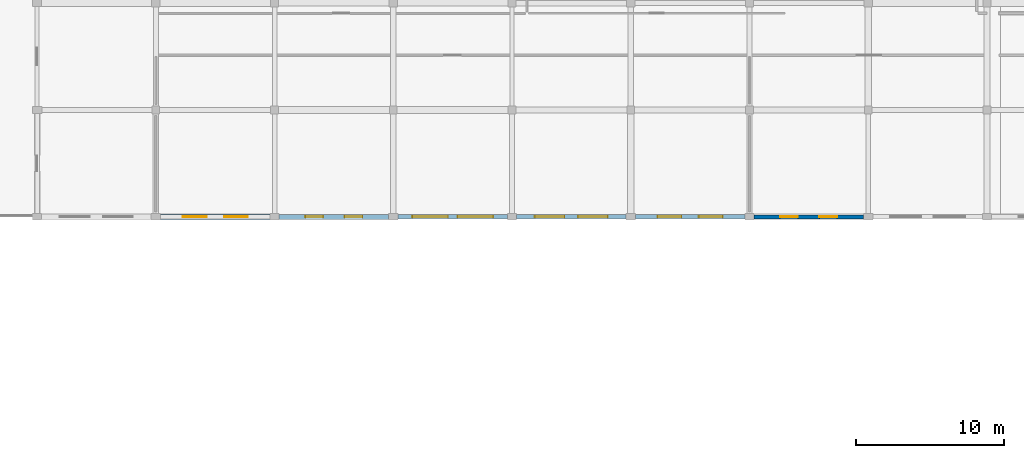
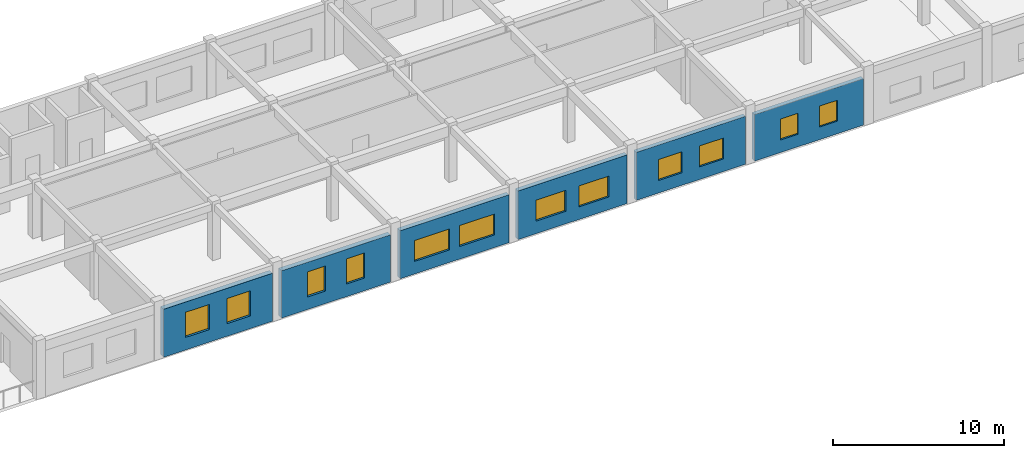
# One storey, part 9 of 19: 12 windows, 6 walls, 12 openings.
"""IFC4 building model written with IfcOpenShell, lengths in metres."""

from ifc_helpers import new_model, si_unit, direction, frame, frame_2d, origin, place, context, subcontext, project, spatial, rectangle, extrude, material, layer, layer_set, type_object, element, fill, save


model = new_model("IFC4")

# Units and contexts
model_context = context("Model", 3, precision=1e-05, world=origin(), true_north=direction((0.0, 1.0)))
body_context = subcontext(model_context, "Body", "Model", "MODEL_VIEW")
ifc_project = project(units=[si_unit("LENGTHUNIT", "METRE"), si_unit("AREAUNIT", "SQUARE_METRE"), si_unit("VOLUMEUNIT", "CUBIC_METRE"), si_unit("PLANEANGLEUNIT", "RADIAN"), si_unit("MASSUNIT", "GRAM", prefix="KILO")], contexts=[model_context])

# Site, building, storey
site_placement = place(None, origin())
site = spatial("IfcSite", under=ifc_project, at=site_placement, CompositionType="ELEMENT")
building_placement = place(site_placement, origin())
building = spatial("IfcBuilding", under=site, at=building_placement, Name="Kharva Crest Polytechnic", CompositionType="ELEMENT")
storey_placement = place(building_placement, frame((0.0, 0.0, 21.60009765625)))
storey = spatial("IfcBuildingStorey", under=building, at=storey_placement, Name="L05", CompositionType="ELEMENT", Elevation=21.60009765625)

# Wall, openings, windows
ifc_material_1 = material(Name="Kiln brick masonry", Category="masonry")
ifc_layer_1 = layer(ifc_material_1, 0.27490234375, Name="Kiln brick masonry")
ifc_layer_set_1 = layer_set([ifc_layer_1], Name="Kiln brick masonry")
wall_type_1 = type_object("IfcWallType", Name="WL-EXT-BRK-275", PredefinedType="SOLIDWALL", material=ifc_layer_set_1)
wall_1_placement = place(storey_placement, frame((104.304931640625, 100.39990234375, 0.0), z_axis=(0.0, 0.0, 1.0), x_axis=(1.0, 0.0, 0.0)))
wall_1 = element("IfcWall", 1, at=wall_1_placement, inside=storey, type_object=wall_type_1, Name="L05 Exterior Brick Wall 448", PredefinedType="SOLIDWALL", context=body_context, shape_type="SweptSolid", body=[
    extrude(rectangle(XDim=7.375, YDim=0.27490234375, at=frame_2d((3.6875, 0.0))), origin(), (0.0, 0.0, 1.0), 3.329833984375),
])
opening_1_placement = place(wall_1_placement, frame((1.764892578125, 0.0, 0.89990234375)))
opening_1 = element("IfcOpeningElement", 2, at=opening_1_placement, cuts=wall_1, Name="Opening W16", PredefinedType="OPENING", context=body_context, shape_type="SweptSolid", body=[
    extrude(rectangle(XDim=1.199951171875, YDim=1.5, at=frame_2d((0.60009765625, 0.75))), frame((0.0, 0.1474609375, 0.0), z_axis=(0.0, -1.0, 0.0), x_axis=(1.0, 0.0, 0.0)), (0.0, 0.0, 1.0), 0.294921875),
])
opening_2_placement = place(wall_1_placement, frame((4.409912109375, 0.0, 0.89990234375)))
opening_2 = element("IfcOpeningElement", 3, at=opening_2_placement, cuts=wall_1, Name="Opening W16", PredefinedType="OPENING", context=body_context, shape_type="SweptSolid", body=[
    extrude(rectangle(XDim=1.199951171875, YDim=1.5, at=frame_2d((0.60009765625, 0.75))), frame((0.0, 0.1474609375, 0.0), z_axis=(0.0, -1.0, 0.0), x_axis=(1.0, 0.0, 0.0)), (0.0, 0.0, 1.0), 0.294921875),
])
ifc_material_2 = material(Name="Anodised aluminium", Category="aluminium")
window_type_1 = type_object("IfcWindowType", Name="WIN-ALU-1200X1500", PartitioningType="SINGLE_PANEL", PredefinedType="WINDOW", material=ifc_material_2)
window_1_placement = place(opening_1_placement, origin())
window_1 = element("IfcWindow", 4, at=window_1_placement, inside=storey, type_object=window_type_1, Name="L05 Exterior Window 634", OverallHeight=1.5, OverallWidth=1.199951171875, PartitioningType="SINGLE_PANEL", PredefinedType="WINDOW", context=body_context, shape_type="SweptSolid", body=[
    extrude(rectangle(XDim=1.199951171875, YDim=1.5, at=frame_2d((0.60009765625, 0.75))), frame((0.0, 0.030029296875, 0.0), z_axis=(0.0, -1.0, 0.0), x_axis=(1.0, 0.0, 0.0)), (0.0, 0.0, 1.0), 0.06005859375),
])
fill(opening_1, window_1)
window_2_placement = place(opening_2_placement, origin())
window_2 = element("IfcWindow", 5, at=window_2_placement, inside=storey, type_object=window_type_1, Name="L05 Exterior Window 635", OverallHeight=1.5, OverallWidth=1.199951171875, PartitioningType="SINGLE_PANEL", PredefinedType="WINDOW", context=body_context, shape_type="SweptSolid", body=[
    extrude(rectangle(XDim=1.199951171875, YDim=1.5, at=frame_2d((0.60009765625, 0.75))), frame((0.0, 0.030029296875, 0.0), z_axis=(0.0, -1.0, 0.0), x_axis=(1.0, 0.0, 0.0)), (0.0, 0.0, 1.0), 0.06005859375),
])
fill(opening_2, window_2)

ifc_layer_2 = layer(ifc_material_1, 0.2900390625, Name="Kiln brick masonry")
ifc_layer_set_2 = layer_set([ifc_layer_2], Name="Kiln brick masonry")
wall_type_2 = type_object("IfcWallType", Name="WL-EXT-BRK-290", PredefinedType="SOLIDWALL", material=ifc_layer_set_2)
wall_2_placement = place(storey_placement, frame((96.320068359375, 100.39990234375, 0.0), z_axis=(0.0, 0.0, 1.0), x_axis=(1.0, 0.0, 0.0)))
wall_2 = element("IfcWall", 6, at=wall_2_placement, inside=storey, type_object=wall_type_2, Name="L05 Exterior Brick Wall 447", PredefinedType="SOLIDWALL", context=body_context, shape_type="SweptSolid", body=[
    extrude(rectangle(XDim=7.375, YDim=0.2900390625, at=frame_2d((3.6875, 0.0))), origin(), (0.0, 0.0, 1.0), 3.429931640625),
])
opening_3_placement = place(wall_2_placement, frame((1.498046875, 0.0, 0.89990234375)))
opening_3 = element("IfcOpeningElement", 7, at=opening_3_placement, cuts=wall_2, Name="Opening W14", PredefinedType="OPENING", context=body_context, shape_type="SweptSolid", body=[
    extrude(rectangle(XDim=1.60009765625, YDim=1.5, at=frame_2d((0.800048828125, 0.75))), frame((0.0, 0.155029296875, 0.0), z_axis=(0.0, -1.0, 0.0), x_axis=(1.0, 0.0, 0.0)), (0.0, 0.0, 1.0), 0.31005859375),
])
opening_4_placement = place(wall_2_placement, frame((4.277099609375, 0.0, 0.89990234375)))
opening_4 = element("IfcOpeningElement", 8, at=opening_4_placement, cuts=wall_2, Name="Opening W14", PredefinedType="OPENING", context=body_context, shape_type="SweptSolid", body=[
    extrude(rectangle(XDim=1.60009765625, YDim=1.5, at=frame_2d((0.800048828125, 0.75))), frame((0.0, 0.155029296875, 0.0), z_axis=(0.0, -1.0, 0.0), x_axis=(1.0, 0.0, 0.0)), (0.0, 0.0, 1.0), 0.31005859375),
])
window_type_2 = type_object("IfcWindowType", Name="WIN-ALU-1600X1500", PartitioningType="SINGLE_PANEL", PredefinedType="WINDOW", material=ifc_material_2)
window_3_placement = place(opening_3_placement, origin())
window_3 = element("IfcWindow", 9, at=window_3_placement, inside=storey, type_object=window_type_2, Name="L05 Exterior Window 632", OverallHeight=1.5, OverallWidth=1.60009765625, PartitioningType="SINGLE_PANEL", PredefinedType="WINDOW", context=body_context, shape_type="SweptSolid", body=[
    extrude(rectangle(XDim=1.60009765625, YDim=1.5, at=frame_2d((0.800048828125, 0.75))), frame((0.0, 0.030029296875, 0.0), z_axis=(0.0, -1.0, 0.0), x_axis=(1.0, 0.0, 0.0)), (0.0, 0.0, 1.0), 0.06005859375),
])
fill(opening_3, window_3)
window_4_placement = place(opening_4_placement, origin())
window_4 = element("IfcWindow", 10, at=window_4_placement, inside=storey, type_object=window_type_2, Name="L05 Exterior Window 633", OverallHeight=1.5, OverallWidth=1.60009765625, PartitioningType="SINGLE_PANEL", PredefinedType="WINDOW", context=body_context, shape_type="SweptSolid", body=[
    extrude(rectangle(XDim=1.60009765625, YDim=1.5, at=frame_2d((0.800048828125, 0.75))), frame((0.0, 0.030029296875, 0.0), z_axis=(0.0, -1.0, 0.0), x_axis=(1.0, 0.0, 0.0)), (0.0, 0.0, 1.0), 0.06005859375),
])
fill(opening_4, window_4)

ifc_layer_3 = layer(ifc_material_1, 0.304931640625, Name="Kiln brick masonry")
ifc_layer_set_3 = layer_set([ifc_layer_3], Name="Kiln brick masonry")
wall_type_3 = type_object("IfcWallType", Name="WL-EXT-BRK-305", PredefinedType="SOLIDWALL", material=ifc_layer_set_3)
wall_3_placement = place(storey_placement, frame((88.304931640625, 100.39990234375, 0.0), z_axis=(0.0, 0.0, 1.0), x_axis=(1.0, 0.0, 0.0)))
wall_3 = element("IfcWall", 11, at=wall_3_placement, inside=storey, type_object=wall_type_3, Name="L05 Exterior Brick Wall 446", PredefinedType="SOLIDWALL", context=body_context, shape_type="SweptSolid", body=[
    extrude(rectangle(XDim=7.375, YDim=0.304931640625, at=frame_2d((3.6875, 0.0))), origin(), (0.0, 0.0, 1.0), 3.47998046875),
])
opening_5_placement = place(wall_3_placement, frame((1.23193359375, 0.0, 0.89990234375)))
opening_5 = element("IfcOpeningElement", 12, at=opening_5_placement, cuts=wall_3, Name="Opening W12", PredefinedType="OPENING", context=body_context, shape_type="SweptSolid", body=[
    extrude(rectangle(XDim=2.0, YDim=1.5, at=frame_2d((1.0, 0.75))), frame((0.0, 0.162353515625, 0.0), z_axis=(0.0, -1.0, 0.0), x_axis=(1.0, 0.0, 0.0)), (0.0, 0.0, 1.0), 0.324951171875),
])
opening_6_placement = place(wall_3_placement, frame((4.14306640625, 0.0, 0.89990234375)))
opening_6 = element("IfcOpeningElement", 13, at=opening_6_placement, cuts=wall_3, Name="Opening W12", PredefinedType="OPENING", context=body_context, shape_type="SweptSolid", body=[
    extrude(rectangle(XDim=2.0, YDim=1.5, at=frame_2d((1.0, 0.75))), frame((0.0, 0.162353515625, 0.0), z_axis=(0.0, -1.0, 0.0), x_axis=(1.0, 0.0, 0.0)), (0.0, 0.0, 1.0), 0.324951171875),
])
window_type_3 = type_object("IfcWindowType", Name="WIN-ALU-2000X1500", PartitioningType="SINGLE_PANEL", PredefinedType="WINDOW", material=ifc_material_2)
window_5_placement = place(opening_5_placement, origin())
window_5 = element("IfcWindow", 14, at=window_5_placement, inside=storey, type_object=window_type_3, Name="L05 Exterior Window 630", OverallHeight=1.5, OverallWidth=2.0, PartitioningType="SINGLE_PANEL", PredefinedType="WINDOW", context=body_context, shape_type="SweptSolid", body=[
    extrude(rectangle(XDim=2.0, YDim=1.5, at=frame_2d((1.0, 0.75))), frame((0.0, 0.030029296875, 0.0), z_axis=(0.0, -1.0, 0.0), x_axis=(1.0, 0.0, 0.0)), (0.0, 0.0, 1.0), 0.06005859375),
])
fill(opening_5, window_5)
window_6_placement = place(opening_6_placement, origin())
window_6 = element("IfcWindow", 15, at=window_6_placement, inside=storey, type_object=window_type_3, Name="L05 Exterior Window 631", OverallHeight=1.5, OverallWidth=2.0, PartitioningType="SINGLE_PANEL", PredefinedType="WINDOW", context=body_context, shape_type="SweptSolid", body=[
    extrude(rectangle(XDim=2.0, YDim=1.5, at=frame_2d((1.0, 0.75))), frame((0.0, 0.030029296875, 0.0), z_axis=(0.0, -1.0, 0.0), x_axis=(1.0, 0.0, 0.0)), (0.0, 0.0, 1.0), 0.06005859375),
])
fill(opening_6, window_6)

ifc_layer_4 = layer(ifc_material_1, 0.320068359375, Name="Kiln brick masonry")
ifc_layer_set_4 = layer_set([ifc_layer_4], Name="Kiln brick masonry")
wall_type_4 = type_object("IfcWallType", Name="WL-EXT-BRK-320", PredefinedType="SOLIDWALL", material=ifc_layer_set_4)
wall_4_placement = place(storey_placement, frame((80.320068359375, 100.39990234375, 0.0), z_axis=(0.0, 0.0, 1.0), x_axis=(1.0, 0.0, 0.0)))
wall_4 = element("IfcWall", 16, at=wall_4_placement, inside=storey, type_object=wall_type_4, Name="L05 Exterior Brick Wall 445", PredefinedType="SOLIDWALL", context=body_context, shape_type="SweptSolid", body=[
    extrude(rectangle(XDim=7.375, YDim=0.320068359375, at=frame_2d((3.6875, 0.0))), origin(), (0.0, 0.0, 1.0), 3.429931640625),
])
opening_7_placement = place(wall_4_placement, frame((0.965087890625, 0.0, 0.89990234375)))
opening_7 = element("IfcOpeningElement", 17, at=opening_7_placement, cuts=wall_4, Name="Opening W10", PredefinedType="OPENING", context=body_context, shape_type="SweptSolid", body=[
    extrude(rectangle(XDim=2.39990234375, YDim=1.5, at=frame_2d((1.199951171875, 0.75))), frame((0.0, 0.169921875, 0.0), z_axis=(0.0, -1.0, 0.0), x_axis=(1.0, 0.0, 0.0)), (0.0, 0.0, 1.0), 0.340087890625),
])
opening_8_placement = place(wall_4_placement, frame((4.010009765625, 0.0, 0.89990234375)))
opening_8 = element("IfcOpeningElement", 18, at=opening_8_placement, cuts=wall_4, Name="Opening W10", PredefinedType="OPENING", context=body_context, shape_type="SweptSolid", body=[
    extrude(rectangle(XDim=2.39990234375, YDim=1.5, at=frame_2d((1.199951171875, 0.75))), frame((0.0, 0.169921875, 0.0), z_axis=(0.0, -1.0, 0.0), x_axis=(1.0, 0.0, 0.0)), (0.0, 0.0, 1.0), 0.340087890625),
])
window_type_4 = type_object("IfcWindowType", Name="WIN-ALU-2400X1500", PartitioningType="SINGLE_PANEL", PredefinedType="WINDOW", material=ifc_material_2)
window_7_placement = place(opening_7_placement, origin())
window_7 = element("IfcWindow", 19, at=window_7_placement, inside=storey, type_object=window_type_4, Name="L05 Exterior Window 628", OverallHeight=1.5, OverallWidth=2.39990234375, PartitioningType="SINGLE_PANEL", PredefinedType="WINDOW", context=body_context, shape_type="SweptSolid", body=[
    extrude(rectangle(XDim=2.39990234375, YDim=1.5, at=frame_2d((1.199951171875, 0.75))), frame((0.0, 0.030029296875, 0.0), z_axis=(0.0, -1.0, 0.0), x_axis=(1.0, 0.0, 0.0)), (0.0, 0.0, 1.0), 0.06005859375),
])
fill(opening_7, window_7)
window_8_placement = place(opening_8_placement, origin())
window_8 = element("IfcWindow", 20, at=window_8_placement, inside=storey, type_object=window_type_4, Name="L05 Exterior Window 629", OverallHeight=1.5, OverallWidth=2.39990234375, PartitioningType="SINGLE_PANEL", PredefinedType="WINDOW", context=body_context, shape_type="SweptSolid", body=[
    extrude(rectangle(XDim=2.39990234375, YDim=1.5, at=frame_2d((1.199951171875, 0.75))), frame((0.0, 0.030029296875, 0.0), z_axis=(0.0, -1.0, 0.0), x_axis=(1.0, 0.0, 0.0)), (0.0, 0.0, 1.0), 0.06005859375),
])
fill(opening_8, window_8)

ifc_layer_5 = layer(ifc_material_1, 0.3349609375, Name="Kiln brick masonry")
ifc_layer_set_5 = layer_set([ifc_layer_5], Name="Kiln brick masonry")
wall_type_5 = type_object("IfcWallType", Name="WL-EXT-BRK-335", PredefinedType="SOLIDWALL", material=ifc_layer_set_5)
wall_5_placement = place(storey_placement, frame((72.304931640625, 100.39990234375, 0.0), z_axis=(0.0, 0.0, 1.0), x_axis=(1.0, 0.0, 0.0)))
wall_5 = element("IfcWall", 21, at=wall_5_placement, inside=storey, type_object=wall_type_5, Name="L05 Exterior Brick Wall 444", PredefinedType="SOLIDWALL", context=body_context, shape_type="SweptSolid", body=[
    extrude(rectangle(XDim=7.375, YDim=0.3349609375, at=frame_2d((3.6875, 0.0))), origin(), (0.0, 0.0, 1.0), 3.3798828125),
])
opening_9_placement = place(wall_5_placement, frame((1.764892578125, 0.0, 0.89990234375)))
opening_9 = element("IfcOpeningElement", 22, at=opening_9_placement, cuts=wall_5, Name="Opening W08", PredefinedType="OPENING", context=body_context, shape_type="SweptSolid", body=[
    extrude(rectangle(XDim=1.199951171875, YDim=1.800048828125, at=frame_2d((0.60009765625, 0.89990234375))), frame((0.0, 0.177490234375, 0.0), z_axis=(0.0, -1.0, 0.0), x_axis=(1.0, 0.0, 0.0)), (0.0, 0.0, 1.0), 0.35498046875),
])
opening_10_placement = place(wall_5_placement, frame((4.409912109375, 0.0, 0.89990234375)))
opening_10 = element("IfcOpeningElement", 23, at=opening_10_placement, cuts=wall_5, Name="Opening W08", PredefinedType="OPENING", context=body_context, shape_type="SweptSolid", body=[
    extrude(rectangle(XDim=1.199951171875, YDim=1.800048828125, at=frame_2d((0.60009765625, 0.89990234375))), frame((0.0, 0.177490234375, 0.0), z_axis=(0.0, -1.0, 0.0), x_axis=(1.0, 0.0, 0.0)), (0.0, 0.0, 1.0), 0.35498046875),
])
window_type_5 = type_object("IfcWindowType", Name="WIN-ALU-1200X1800", PartitioningType="SINGLE_PANEL", PredefinedType="WINDOW", material=ifc_material_2)
window_9_placement = place(opening_9_placement, origin())
window_9 = element("IfcWindow", 24, at=window_9_placement, inside=storey, type_object=window_type_5, Name="L05 Exterior Window 626", OverallHeight=1.800048828125, OverallWidth=1.199951171875, PartitioningType="SINGLE_PANEL", PredefinedType="WINDOW", context=body_context, shape_type="SweptSolid", body=[
    extrude(rectangle(XDim=1.199951171875, YDim=1.800048828125, at=frame_2d((0.60009765625, 0.89990234375))), frame((0.0, 0.030029296875, 0.0), z_axis=(0.0, -1.0, 0.0), x_axis=(1.0, 0.0, 0.0)), (0.0, 0.0, 1.0), 0.06005859375),
])
fill(opening_9, window_9)
window_10_placement = place(opening_10_placement, origin())
window_10 = element("IfcWindow", 25, at=window_10_placement, inside=storey, type_object=window_type_5, Name="L05 Exterior Window 627", OverallHeight=1.800048828125, OverallWidth=1.199951171875, PartitioningType="SINGLE_PANEL", PredefinedType="WINDOW", context=body_context, shape_type="SweptSolid", body=[
    extrude(rectangle(XDim=1.199951171875, YDim=1.800048828125, at=frame_2d((0.60009765625, 0.89990234375))), frame((0.0, 0.030029296875, 0.0), z_axis=(0.0, -1.0, 0.0), x_axis=(1.0, 0.0, 0.0)), (0.0, 0.0, 1.0), 0.06005859375),
])
fill(opening_10, window_10)

ifc_layer_6 = layer(ifc_material_1, 0.35009765625, Name="Kiln brick masonry")
ifc_layer_set_6 = layer_set([ifc_layer_6], Name="Kiln brick masonry")
wall_type_6 = type_object("IfcWallType", Name="WL-EXT-BRK-350", PredefinedType="SOLIDWALL", material=ifc_layer_set_6)
wall_6_placement = place(storey_placement, frame((64.320068359375, 100.39990234375, 0.0), z_axis=(0.0, 0.0, 1.0), x_axis=(1.0, 0.0, 0.0)))
wall_6 = element("IfcWall", 26, at=wall_6_placement, inside=storey, type_object=wall_type_6, Name="L05 Exterior Brick Wall 443", PredefinedType="SOLIDWALL", context=body_context, shape_type="SweptSolid", body=[
    extrude(rectangle(XDim=7.375, YDim=0.35009765625, at=frame_2d((3.6875, 0.0))), origin(), (0.0, 0.0, 1.0), 3.429931640625),
])
opening_11_placement = place(wall_6_placement, frame((1.498046875, 0.0, 0.89990234375)))
opening_11 = element("IfcOpeningElement", 27, at=opening_11_placement, cuts=wall_6, Name="Opening W06", PredefinedType="OPENING", context=body_context, shape_type="SweptSolid", body=[
    extrude(rectangle(XDim=1.60009765625, YDim=1.800048828125, at=frame_2d((0.800048828125, 0.89990234375))), frame((0.0, 0.18505859375, 0.0), z_axis=(0.0, -1.0, 0.0), x_axis=(1.0, 0.0, 0.0)), (0.0, 0.0, 1.0), 0.3701171875),
])
opening_12_placement = place(wall_6_placement, frame((4.277099609375, 0.0, 0.89990234375)))
opening_12 = element("IfcOpeningElement", 28, at=opening_12_placement, cuts=wall_6, Name="Opening W06", PredefinedType="OPENING", context=body_context, shape_type="SweptSolid", body=[
    extrude(rectangle(XDim=1.60009765625, YDim=1.800048828125, at=frame_2d((0.800048828125, 0.89990234375))), frame((0.0, 0.18505859375, 0.0), z_axis=(0.0, -1.0, 0.0), x_axis=(1.0, 0.0, 0.0)), (0.0, 0.0, 1.0), 0.3701171875),
])
window_type_6 = type_object("IfcWindowType", Name="WIN-ALU-1600X1800", PartitioningType="SINGLE_PANEL", PredefinedType="WINDOW", material=ifc_material_2)
window_11_placement = place(opening_11_placement, origin())
window_11 = element("IfcWindow", 29, at=window_11_placement, inside=storey, type_object=window_type_6, Name="L05 Exterior Window 624", OverallHeight=1.800048828125, OverallWidth=1.60009765625, PartitioningType="SINGLE_PANEL", PredefinedType="WINDOW", context=body_context, shape_type="SweptSolid", body=[
    extrude(rectangle(XDim=1.60009765625, YDim=1.800048828125, at=frame_2d((0.800048828125, 0.89990234375))), frame((0.0, 0.030029296875, 0.0), z_axis=(0.0, -1.0, 0.0), x_axis=(1.0, 0.0, 0.0)), (0.0, 0.0, 1.0), 0.06005859375),
])
fill(opening_11, window_11)
window_12_placement = place(opening_12_placement, origin())
window_12 = element("IfcWindow", 30, at=window_12_placement, inside=storey, type_object=window_type_6, Name="L05 Exterior Window 625", OverallHeight=1.800048828125, OverallWidth=1.60009765625, PartitioningType="SINGLE_PANEL", PredefinedType="WINDOW", context=body_context, shape_type="SweptSolid", body=[
    extrude(rectangle(XDim=1.60009765625, YDim=1.800048828125, at=frame_2d((0.800048828125, 0.89990234375))), frame((0.0, 0.030029296875, 0.0), z_axis=(0.0, -1.0, 0.0), x_axis=(1.0, 0.0, 0.0)), (0.0, 0.0, 1.0), 0.06005859375),
])
fill(opening_12, window_12)

save(model, "model.ifc")
